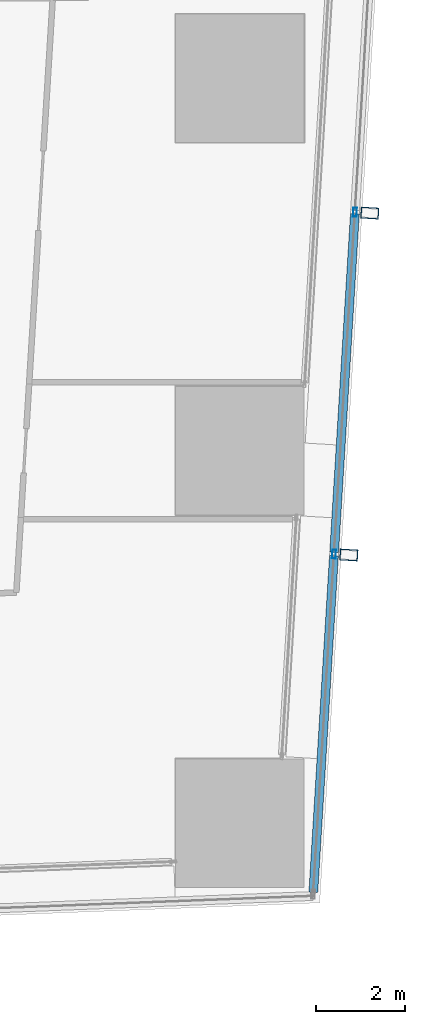
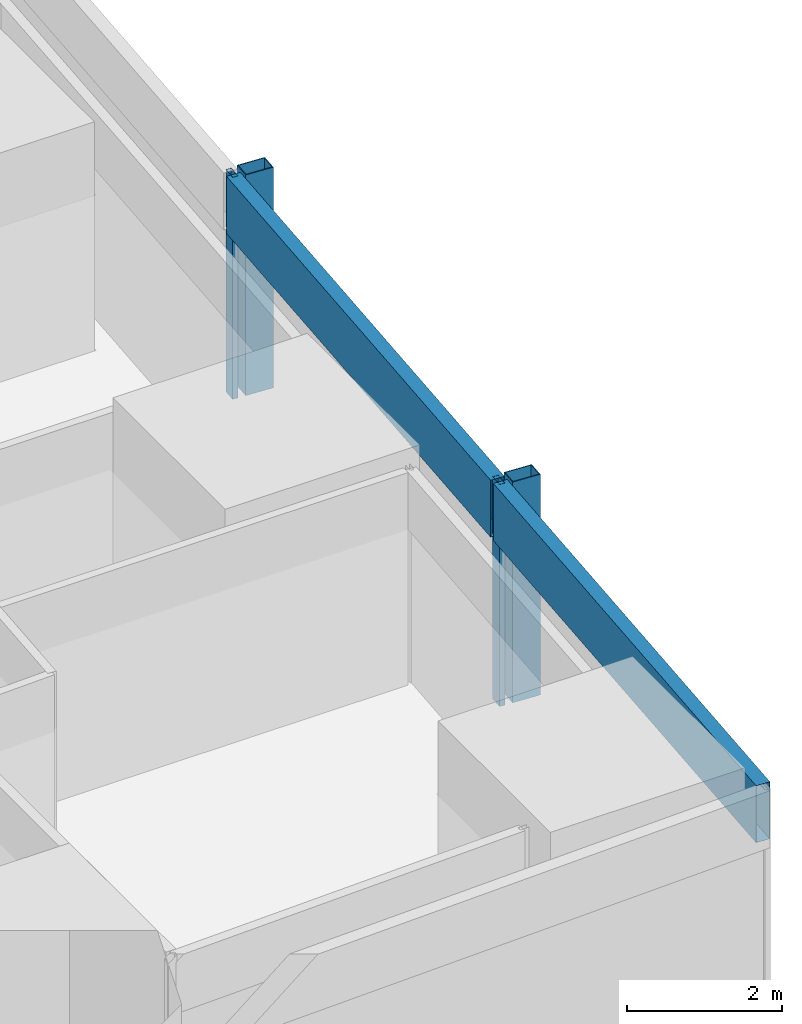
# One storey, part 23 of 40: 6 members, 1 element without a shape of its own.
"""IFC4 building model written with IfcOpenShell, lengths in metres."""

import ifcopenshell
import ifcopenshell.guid

model = None  # the IFC model being written
_history = None  # IfcOwnerHistory: only IFC2X3 demands one
_inside = {}  # id of a spatial element -> (the spatial element, [elements in it])
_under = {}  # id of a project, library or spatial element -> (it, [spatial elements below it])
_declared = {}  # id of a project -> (the project, [libraries it declares])
_typed = {}  # id of a type object -> (the type object, [elements of that type])
_made_of = {}  # id of a material, layer set ... -> (it, [elements and type objects made of it])


def new_model(schema):
    """Start an empty IFC model of exactly this schema.

    Asked for "IFC4X3", IfcOpenShell would pick the latest addendum, in which some entities
    have other attributes; the version numbers below select the first issue.
    IFC2X3 requires an IfcOwnerHistory on every rooted entity: one is made here for all.
    """
    global model, _history
    if schema == "IFC4X3":
        model = ifcopenshell.file(schema_version=(4, 3, 0, 0))
    else:
        model = ifcopenshell.file(schema=schema)
    _inside.clear()
    _under.clear()
    _declared.clear()
    _typed.clear()
    _made_of.clear()
    _history = None
    if model.schema == "IFC2X3":
        org = make("IfcOrganization", Name="unknown")
        user = make(
            "IfcPersonAndOrganization",
            ThePerson=make("IfcPerson", FamilyName="unknown"),
            TheOrganization=org,
        )
        app = make(
            "IfcApplication",
            ApplicationDeveloper=org,
            Version="unknown",
            ApplicationFullName="unknown",
            ApplicationIdentifier="unknown",
        )
        _history = make(
            "IfcOwnerHistory",
            OwningUser=user,
            OwningApplication=app,
            ChangeAction="ADDED",
            CreationDate=0,
        )
    return model


def make(cls, **values):
    """One entity of the class cls with the attributes given. An attribute that is None is left unset."""
    return model.create_entity(
        cls, **{name: value for name, value in values.items() if value is not None}
    )


def rooted(cls, **values):
    """An entity with a GlobalId (a new one), such as an element, a storey or a relation."""
    return make(cls, GlobalId=ifcopenshell.guid.new(), OwnerHistory=_history, **values)


def si_unit(unit_type, name, prefix=None):
    """IfcSIUnit, for example si_unit("LENGTHUNIT", "METRE", prefix="MILLI")."""
    return make("IfcSIUnit", UnitType=unit_type, Prefix=prefix, Name=name)


def assignment(units):
    """IfcUnitAssignment: the units of a project."""
    return None if units is None else make("IfcUnitAssignment", Units=units)


def point(xyz):
    """IfcCartesianPoint."""
    return None if xyz is None else make("IfcCartesianPoint", Coordinates=xyz)


def direction(xyz):
    """IfcDirection."""
    return None if xyz is None else make("IfcDirection", DirectionRatios=xyz)


def frame(location, z_axis=None, x_axis=None):
    """IfcAxis2Placement3D, a coordinate frame: its origin and axes. An axis left out is left unset."""
    return make(
        "IfcAxis2Placement3D",
        Location=point(location),
        Axis=direction(z_axis),
        RefDirection=direction(x_axis),
    )


def frame_2d(location, x_axis=None):
    """IfcAxis2Placement2D, a coordinate frame in the plane: its origin and x axis."""
    return make(
        "IfcAxis2Placement2D", Location=point(location), RefDirection=direction(x_axis)
    )


def origin():
    """The frame at (0, 0, 0) with its axes left unset."""
    return frame((0.0, 0.0, 0.0))


def origin_2d():
    """The frame at (0, 0) in the plane with its x axis left unset."""
    return frame_2d((0.0, 0.0))


def place(relative_to, where):
    """IfcLocalPlacement: puts the frame where relative to a parent placement (None: the world)."""
    return make(
        "IfcLocalPlacement", PlacementRelTo=relative_to, RelativePlacement=where
    )


def context(
    kind, dimensions, precision=None, world=None, true_north=None, identifier=None
):
    """IfcGeometricRepresentationContext, for example the 3D "Model" context."""
    return make(
        "IfcGeometricRepresentationContext",
        ContextIdentifier=identifier,
        ContextType=kind,
        CoordinateSpaceDimension=dimensions,
        Precision=precision,
        WorldCoordinateSystem=world,
        TrueNorth=true_north,
    )


def subcontext(parent, identifier, kind, view, scale=None):
    """IfcGeometricRepresentationSubContext, for example "Body" below "Model"."""
    return make(
        "IfcGeometricRepresentationSubContext",
        ContextIdentifier=identifier,
        ContextType=kind,
        ParentContext=parent,
        TargetScale=scale,
        TargetView=view,
    )


def project(units=None, contexts=None):
    """IfcProject with its units and contexts."""
    return rooted(
        "IfcProject",
        Name="project",
        RepresentationContexts=contexts,
        UnitsInContext=assignment(units),
    )


def spatial(cls, under=None, at=None, **own):
    """A site, building, storey or space (cls), placed at a placement, below another one or the project."""
    s = rooted(cls, ObjectPlacement=at, **own)
    if under is not None:
        _under.setdefault(under.id(), (under, []))[1].append(s)
    return s


def profile(cls, at=None, kind="AREA", **sizes):
    """A parametric profile (cls). Its sizes go by their IFC names, for example OverallWidth=200.0."""
    return make(cls, ProfileType=kind, Position=at, **sizes)


def hollow_rectangle(**sizes):
    """IfcRectangleHollowProfileDef."""
    return profile("IfcRectangleHollowProfileDef", **sizes)


def extrude(swept, where, along, depth):
    """IfcExtrudedAreaSolid: the profile swept, set in the frame where, extruded along a direction by depth."""
    return make(
        "IfcExtrudedAreaSolid",
        SweptArea=swept,
        Position=where,
        ExtrudedDirection=direction(along),
        Depth=depth,
    )


def shape(context_of_items, identifier, shape_type, items):
    """IfcShapeRepresentation: the items that make up one representation, for example the "Body"."""
    return make(
        "IfcShapeRepresentation",
        ContextOfItems=context_of_items,
        RepresentationIdentifier=identifier,
        RepresentationType=shape_type,
        Items=items,
    )


def material(Name=None, Category=None):
    """IfcMaterial."""
    return make("IfcMaterial", Name=Name, Category=Category)


def material_profile(
    of_material, cross_section, Name=None, Category=None, Priority=None
):
    """IfcMaterialProfile: a cross section and its material."""
    return make(
        "IfcMaterialProfile",
        Name=Name,
        Material=of_material,
        Profile=cross_section,
        Priority=Priority,
        Category=Category,
    )


def profile_set(profiles, Name=None, composite=None):
    """IfcMaterialProfileSet."""
    return make(
        "IfcMaterialProfileSet",
        Name=Name,
        MaterialProfiles=profiles,
        CompositeProfile=composite,
    )


def made_of(thing, what):
    """Note that an element or type object is made of a material, layer set ...; save() writes the relation."""
    if what is not None:
        _made_of.setdefault(what.id(), (what, []))[1].append(thing)
    return thing


def type_object(cls, material=None, **own):
    """A type object (cls), such as IfcWallType, which elements share."""
    return made_of(rooted(cls, **own), material)


def element(
    cls,
    number,
    at=None,
    inside=None,
    cuts=None,
    type_object=None,
    material=None,
    context=None,
    identifier="Body",
    shape_type=None,
    held_by="IfcProductDefinitionShape",
    body=None,
    shapes=None,
    **own,
):
    """One element of the class cls, such as IfcWall. Its Tag is "e" and its number.

    at: its placement. inside: the storey or other place that contains it. cuts: it is an
    opening in that element (IfcRelVoidsElement). A single representation is given by context,
    identifier, shape_type and body (its items); several are given by shapes. held_by: the class
    of the entity that holds the representations. save() writes the other relations.
    """
    e = rooted(cls, Tag="e%d" % number, ObjectPlacement=at, **own)
    if body is not None:
        shapes = [shape(context, identifier, shape_type, body)]
    if shapes is not None:
        e.Representation = make(held_by, Representations=shapes)
    if inside is not None:
        _inside.setdefault(inside.id(), (inside, []))[1].append(e)
    if cuts is not None:
        rooted(
            "IfcRelVoidsElement", RelatingBuildingElement=cuts, RelatedOpeningElement=e
        )
    if type_object is not None:
        _typed.setdefault(type_object.id(), (type_object, []))[1].append(e)
    return made_of(e, material)


def aggregate(whole, parts):
    """IfcRelAggregates: a whole, such as a stair, and the parts it consists of."""
    return rooted("IfcRelAggregates", RelatingObject=whole, RelatedObjects=parts)


def save(model, path):
    """Write the relations noted so far, then the file.

    IfcRelAggregates (storeys below a building ...), IfcRelContainedInSpatialStructure (elements
    in a storey), IfcRelDefinesByType, IfcRelAssociatesMaterial and IfcRelDeclares: one each for
    every whole, place, type object, material and project.
    """
    for whole, parts in _under.values():
        aggregate(whole, parts)
    for where, things in _inside.values():
        rooted(
            "IfcRelContainedInSpatialStructure",
            RelatedElements=things,
            RelatingStructure=where,
        )
    for kind, things in _typed.values():
        rooted("IfcRelDefinesByType", RelatedObjects=things, RelatingType=kind)
    for what, things in _made_of.values():
        rooted("IfcRelAssociatesMaterial", RelatedObjects=things, RelatingMaterial=what)
    for by, libraries in _declared.values():
        rooted("IfcRelDeclares", RelatingContext=by, RelatedDefinitions=libraries)
    model.write(path)


model = new_model("IFC4")

# Units and contexts
model_context = context("Model", 3, precision=1e-05, world=origin(), true_north=direction((0.0, 1.0)))
body_context = subcontext(model_context, "Body", "Model", "MODEL_VIEW")
ifc_project = project(units=[si_unit("LENGTHUNIT", "METRE"), si_unit("AREAUNIT", "SQUARE_METRE"), si_unit("VOLUMEUNIT", "CUBIC_METRE"), si_unit("PLANEANGLEUNIT", "RADIAN"), si_unit("MASSUNIT", "GRAM", prefix="KILO")], contexts=[model_context])

# Site, building, storey
site_placement = place(None, origin())
site = spatial("IfcSite", under=ifc_project, at=site_placement, CompositionType="ELEMENT")
building_placement = place(site_placement, origin())
building = spatial("IfcBuilding", under=site, at=building_placement, Name="Rekha Terrace Tower", CompositionType="ELEMENT")
storey_placement = place(building_placement, frame((0.0, 0.0, 95.300048828125)))
storey = spatial("IfcBuildingStorey", under=building, at=storey_placement, Name="L23", CompositionType="ELEMENT", Elevation=95.300048828125)

# Curtain wall, members
ifc_material_1 = material(Name="Aluminium framing", Category="aluminium")
curtain_wall_type = type_object("IfcCurtainWallType", Name="CW2 double skin outer glazing", PredefinedType="USERDEFINED", material=ifc_material_1)
curtain_wall_placement = place(storey_placement, origin())
curtain_wall = element("IfcCurtainWall", 1, at=curtain_wall_placement, inside=storey, type_object=curtain_wall_type, Name="CW2 double skin outer glazing", ObjectType="DOUBLE SKIN OUTER GLAZING", PredefinedType="USERDEFINED")
ifc_material_2 = material(Name="Steel S355 with fluorocarbon finish", Category="steel")
ifc_material_profile_1 = material_profile(ifc_material_2, hollow_rectangle(XDim=0.25, YDim=0.39990234375, WallThickness=0.012451171875, at=origin_2d()), Name="RHS400x250x12.5")
ifc_profile_set_1 = profile_set([ifc_material_profile_1], Name="Steel S355 with fluorocarbon finish")
member_type_1 = type_object("IfcMemberType", Name="BL1 facade blade RHS 400 x 250", PredefinedType="USERDEFINED", material=ifc_profile_set_1)
member_1_placement = place(storey_placement, frame((69.656005859375, 22.845703125, 0.02001953125), z_axis=(0.0, 0.0, 1.0), x_axis=(0.061160031881, 0.998127973008, 0.0)))
member_1 = element("IfcMember", 2, at=member_1_placement, type_object=member_type_1, Name="Facade blade", ObjectType="FACADE BLADE", PredefinedType="USERDEFINED", context=body_context, shape_type="SweptSolid", body=[
    extrude(hollow_rectangle(XDim=0.25, YDim=0.39990234375, WallThickness=0.012451171875, at=origin_2d()), origin(), (0.0, 0.0, 1.0), 3.47998046875),
])
member_2_placement = place(storey_placement, frame((70.128662109375, 30.557861328125, 0.02001953125), z_axis=(0.0, 0.0, 1.0), x_axis=(0.061160031881, 0.998127973008, 0.0)))
member_2 = element("IfcMember", 3, at=member_2_placement, type_object=member_type_1, Name="Facade blade", ObjectType="FACADE BLADE", PredefinedType="USERDEFINED", context=body_context, shape_type="SweptSolid", body=[
    extrude(hollow_rectangle(XDim=0.25, YDim=0.39990234375, WallThickness=0.012451171875, at=origin_2d()), origin(), (0.0, 0.0, 1.0), 3.47998046875),
])
ifc_material_3 = material(Name="Aluminium mullion section", Category="aluminium")
ifc_material_profile_2 = material_profile(ifc_material_3, hollow_rectangle(XDim=0.080078125, YDim=0.199951171875, WallThickness=0.00390625, at=origin_2d()), Name="AL RHS 80x200")
ifc_profile_set_2 = profile_set([ifc_material_profile_2], Name="Aluminium mullion section")
member_type_2 = type_object("IfcMemberType", Name="CW2 mullion RHS 80 x 200", PredefinedType="MULLION", material=ifc_profile_set_2)
member_3_placement = place(storey_placement, frame((69.32177734375, 22.8662109375, 0.0), z_axis=(0.0, 0.0, 1.0), x_axis=(-0.998127987024, 0.061159803131, 0.0)))
member_3 = element("IfcMember", 4, at=member_3_placement, type_object=member_type_2, Name="CW2 mullion 2", PredefinedType="MULLION", context=body_context, shape_type="SweptSolid", body=[
    extrude(hollow_rectangle(XDim=0.080078125, YDim=0.199951171875, WallThickness=0.00390625, at=origin_2d()), origin(), (0.0, 0.0, 1.0), 3.5),
])
member_4_placement = place(storey_placement, frame((69.794189453125, 30.578369140625, 0.0), z_axis=(0.0, 0.0, 1.0), x_axis=(-0.998127987024, 0.061159803131, 0.0)))
member_4 = element("IfcMember", 5, at=member_4_placement, type_object=member_type_2, Name="CW2 mullion 3", PredefinedType="MULLION", context=body_context, shape_type="SweptSolid", body=[
    extrude(hollow_rectangle(XDim=0.080078125, YDim=0.199951171875, WallThickness=0.00390625, at=origin_2d()), origin(), (0.0, 0.0, 1.0), 3.5),
])
ifc_material_4 = material(Name="Insulated aluminium spandrel box", Category="aluminium")
ifc_material_profile_3 = material_profile(ifc_material_4, hollow_rectangle(XDim=0.199951171875, YDim=0.89990234375, WallThickness=0.0029296875, at=origin_2d()), Name="AL SPANDREL BOX 200x900")
ifc_profile_set_3 = profile_set([ifc_material_profile_3], Name="Insulated aluminium spandrel box")
member_type_3 = type_object("IfcMemberType", Name="CW2 spandrel transom 200 x 900", PredefinedType="USERDEFINED", material=ifc_profile_set_3)
member_5_placement = place(storey_placement, frame((68.85400390625, 15.234130859375, 3.050048828125), z_axis=(0.061175320944, 0.998127036057, 0.0), x_axis=(-0.998127036057, 0.061175320944, 0.0)))
member_5 = element("IfcMember", 6, at=member_5_placement, type_object=member_type_3, Name="CW2 spandrel transom 1", ObjectType="TRANSOM", PredefinedType="USERDEFINED", context=body_context, shape_type="SweptSolid", body=[
    extrude(hollow_rectangle(XDim=0.199951171875, YDim=0.89990234375, WallThickness=0.0029296875, at=origin_2d()), origin(), (0.0, 0.0, 1.0), 7.6064453125),
])
member_6_placement = place(storey_placement, frame((69.32421875, 22.90625, 3.050048828125), z_axis=(0.061141871886, 0.998129085591, 0.0), x_axis=(-0.998129085591, 0.061141871886, 0.0)))
member_6 = element("IfcMember", 7, at=member_6_placement, type_object=member_type_3, Name="CW2 spandrel transom 2", ObjectType="TRANSOM", PredefinedType="USERDEFINED", context=body_context, shape_type="SweptSolid", body=[
    extrude(hollow_rectangle(XDim=0.199951171875, YDim=0.89990234375, WallThickness=0.0029296875, at=origin_2d()), origin(), (0.0, 0.0, 1.0), 7.646728515625),
])
aggregate(curtain_wall, [member_3, member_4, member_5, member_6, member_1, member_2])

save(model, "model.ifc")
